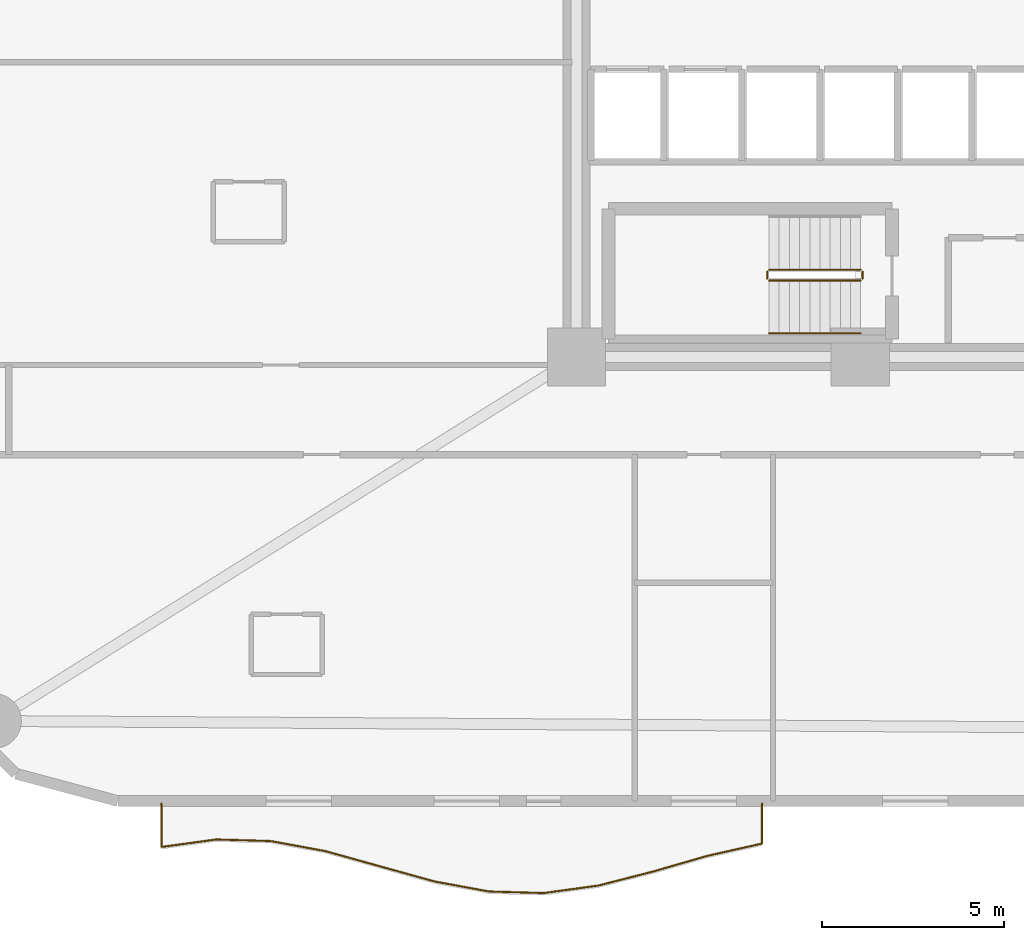
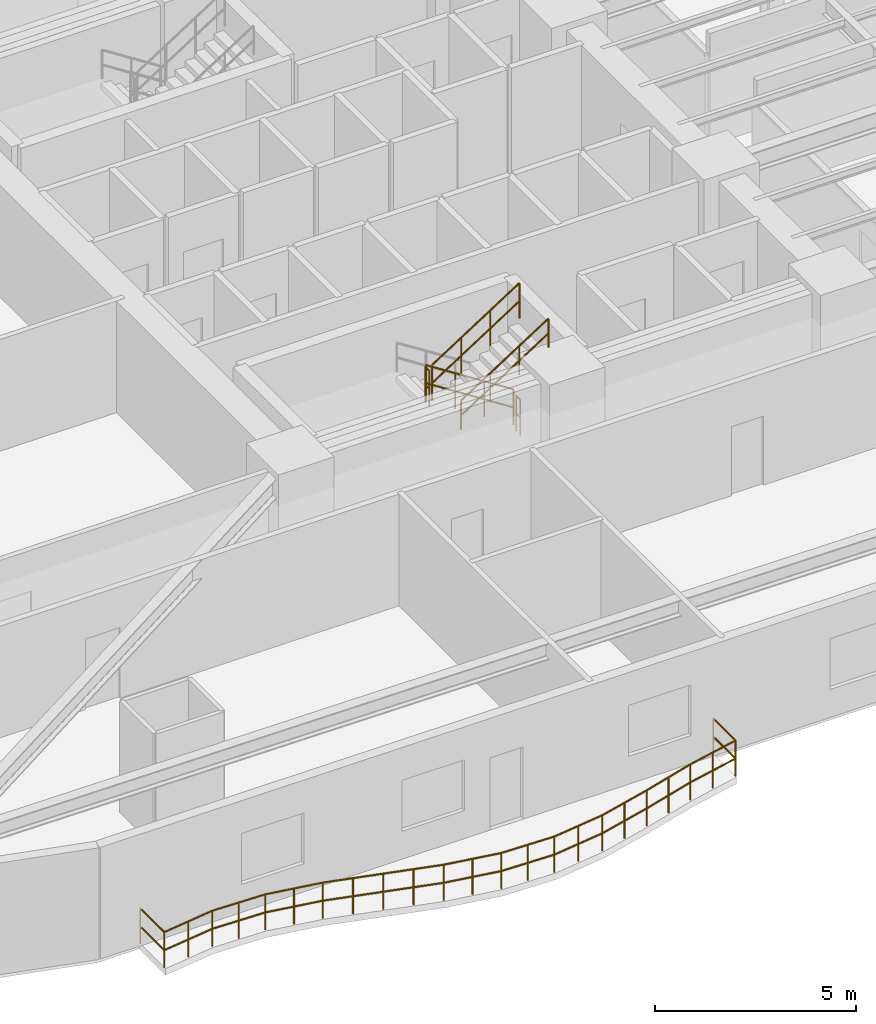
# One storey, part 14 of 16: 6 railings.
"""IFC4 building model written with IfcOpenShell, lengths in metres."""

from ifc_helpers import new_model, si_unit, direction, frame, origin, origin_2d, place, context, subcontext, project, spatial, circle, extrude, material, type_object, element, save


model = new_model("IFC4")

# Units and contexts
model_context = context("Model", 3, precision=1e-05, world=origin(), true_north=direction((0.0, 1.0)))
body_context = subcontext(model_context, "Body", "Model", "MODEL_VIEW")
ifc_project = project(units=[si_unit("LENGTHUNIT", "METRE"), si_unit("AREAUNIT", "SQUARE_METRE"), si_unit("VOLUMEUNIT", "CUBIC_METRE"), si_unit("PLANEANGLEUNIT", "RADIAN"), si_unit("MASSUNIT", "GRAM", prefix="KILO")], contexts=[model_context])

# Site, building, storey
site_placement = place(None, origin())
site = spatial("IfcSite", under=ifc_project, at=site_placement, CompositionType="ELEMENT")
building_placement = place(site_placement, origin())
building = spatial("IfcBuilding", under=site, at=building_placement, Name="An Khanh Terracotta Commons", CompositionType="ELEMENT")
storey_placement = place(building_placement, frame((0.0, 0.0, 50.39990234375)))
storey = spatial("IfcBuildingStorey", under=building, at=storey_placement, Name="L13", CompositionType="ELEMENT", Elevation=50.39990234375)

# Railings
ifc_material_1 = material(Name="Brushed Stainless Steel 316", Category="steel")
railing_type_1 = type_object("IfcRailingType", Name="RAIL-BALUSTRADE-1100", PredefinedType="BALUSTRADE", material=ifc_material_1)
railing_1_placement = place(storey_placement, frame((10.199951171875, 2.139892578125, 0.0)))
element("IfcRailing", 1, at=railing_1_placement, inside=storey, type_object=railing_type_1, Name="L13 S Wave Balcony Guard Balustrade", PredefinedType="BALUSTRADE", context=body_context, shape_type="SweptSolid", body=[
    extrude(circle(Radius=0.02392578125, at=origin_2d()), frame((0.0, 0.0, 1.076171875), z_axis=(0.0, -1.0, 0.0), x_axis=(1.0, 0.0, 0.0)), (0.0, 0.0, 1.0), 1.199951171875),
    extrude(circle(Radius=0.02392578125, at=origin_2d()), frame((0.0, 0.0, 0.52587890625), z_axis=(0.0, -1.0, 0.0), x_axis=(1.0, 0.0, 0.0)), (0.0, 0.0, 1.0), 1.199951171875),
    extrude(circle(Radius=0.02392578125, at=origin_2d()), frame((0.0, -1.199951171875, 1.076171875), z_axis=(0.990696239711, 0.136091736054, 0.0), x_axis=(-0.136091736054, 0.990696239711, 0.0)), (0.0, 0.0, 1.0), 1.51416015625),
    extrude(circle(Radius=0.02392578125, at=origin_2d()), frame((0.0, -1.199951171875, 0.52587890625), z_axis=(0.990696239711, 0.136091736054, 0.0), x_axis=(-0.136091736054, 0.990696239711, 0.0)), (0.0, 0.0, 1.0), 1.51416015625),
    extrude(circle(Radius=0.02392578125, at=origin_2d()), frame((1.5, -0.993896484375, 1.076171875), z_axis=(0.999589960453, -0.028634087409, 0.0), x_axis=(0.028634087409, 0.999589960453, 0.0)), (0.0, 0.0, 1.0), 1.500732421875),
    extrude(circle(Radius=0.02392578125, at=origin_2d()), frame((1.5, -0.993896484375, 0.52587890625), z_axis=(0.999589960453, -0.028634087409, 0.0), x_axis=(0.028634087409, 0.999589960453, 0.0)), (0.0, 0.0, 1.0), 1.500732421875),
    extrude(circle(Radius=0.02392578125, at=origin_2d()), frame((3.0, -1.036865234375, 1.076171875), z_axis=(0.983475695992, -0.181040203803, 0.0), x_axis=(0.181040203803, 0.983475695992, 0.0)), (0.0, 0.0, 1.0), 1.525146484375),
    extrude(circle(Radius=0.02392578125, at=origin_2d()), frame((3.0, -1.036865234375, 0.52587890625), z_axis=(0.983475695992, -0.181040203803, 0.0), x_axis=(0.181040203803, 0.983475695992, 0.0)), (0.0, 0.0, 1.0), 1.525146484375),
    extrude(circle(Radius=0.02392578125, at=origin_2d()), frame((4.5, -1.31298828125, 1.076171875), z_axis=(0.963463971294, -0.267837965978, 0.0), x_axis=(0.267837965978, 0.963463971294, 0.0)), (0.0, 0.0, 1.0), 1.556884765625),
    extrude(circle(Radius=0.02392578125, at=origin_2d()), frame((4.5, -1.31298828125, 0.52587890625), z_axis=(0.963463971294, -0.267837965978, 0.0), x_axis=(0.267837965978, 0.963463971294, 0.0)), (0.0, 0.0, 1.0), 1.556884765625),
    extrude(circle(Radius=0.02392578125, at=origin_2d()), frame((6.0, -1.72998046875, 1.076171875), z_axis=(0.963463971294, -0.267837965978, 0.0), x_axis=(0.267837965978, 0.963463971294, 0.0)), (0.0, 0.0, 1.0), 1.556884765625),
    extrude(circle(Radius=0.02392578125, at=origin_2d()), frame((6.0, -1.72998046875, 0.52587890625), z_axis=(0.963463971294, -0.267837965978, 0.0), x_axis=(0.267837965978, 0.963463971294, 0.0)), (0.0, 0.0, 1.0), 1.556884765625),
    extrude(circle(Radius=0.02392578125, at=origin_2d()), frame((7.5, -2.14697265625, 1.076171875), z_axis=(0.983504185039, -0.180885372574, 0.0), x_axis=(0.180885372574, 0.983504185039, 0.0)), (0.0, 0.0, 1.0), 1.525146484375),
    extrude(circle(Radius=0.02392578125, at=origin_2d()), frame((7.5, -2.14697265625, 0.52587890625), z_axis=(0.983504185039, -0.180885372574, 0.0), x_axis=(0.180885372574, 0.983504185039, 0.0)), (0.0, 0.0, 1.0), 1.525146484375),
    extrude(circle(Radius=0.02392578125, at=origin_2d()), frame((9.0, -2.4228515625, 1.076171875), z_axis=(0.999589960453, -0.028634087409, 0.0), x_axis=(0.028634087409, 0.999589960453, 0.0)), (0.0, 0.0, 1.0), 1.500732421875),
    extrude(circle(Radius=0.02392578125, at=origin_2d()), frame((9.0, -2.4228515625, 0.52587890625), z_axis=(0.999589960453, -0.028634087409, 0.0), x_axis=(0.028634087409, 0.999589960453, 0.0)), (0.0, 0.0, 1.0), 1.500732421875),
    extrude(circle(Radius=0.02392578125, at=origin_2d()), frame((10.5, -2.4658203125, 1.076171875), z_axis=(0.990717967649, 0.135933471147, 0.0), x_axis=(-0.135933471147, 0.990717967649, 0.0)), (0.0, 0.0, 1.0), 1.51416015625),
    extrude(circle(Radius=0.02392578125, at=origin_2d()), frame((10.5, -2.4658203125, 0.52587890625), z_axis=(0.990717967649, 0.135933471147, 0.0), x_axis=(-0.135933471147, 0.990717967649, 0.0)), (0.0, 0.0, 1.0), 1.51416015625),
    extrude(circle(Radius=0.02392578125, at=origin_2d()), frame((12.0, -2.260009765625, 1.076171875), z_axis=(0.968754262999, 0.248022535107, 0.0), x_axis=(-0.248022535107, 0.968754262999, 0.0)), (0.0, 0.0, 1.0), 1.54833984375),
    extrude(circle(Radius=0.02392578125, at=origin_2d()), frame((12.0, -2.260009765625, 0.52587890625), z_axis=(0.968754262999, 0.248022535107, 0.0), x_axis=(-0.248022535107, 0.968754262999, 0.0)), (0.0, 0.0, 1.0), 1.54833984375),
    extrude(circle(Radius=0.02392578125, at=origin_2d()), frame((13.5, -1.8759765625, 1.076171875), z_axis=(0.960753088359, 0.277404944458, 0.0), x_axis=(-0.277404944458, 0.960753088359, 0.0)), (0.0, 0.0, 1.0), 1.561279296875),
    extrude(circle(Radius=0.02392578125, at=origin_2d()), frame((13.5, -1.8759765625, 0.52587890625), z_axis=(0.960753088359, 0.277404944458, 0.0), x_axis=(-0.277404944458, 0.960753088359, 0.0)), (0.0, 0.0, 1.0), 1.561279296875),
    extrude(circle(Radius=0.02392578125, at=origin_2d()), frame((15.0, -1.44287109375, 1.076171875), z_axis=(0.975691310659, 0.21914941548, 0.0), x_axis=(-0.21914941548, 0.975691310659, 0.0)), (0.0, 0.0, 1.0), 1.537353515625),
    extrude(circle(Radius=0.02392578125, at=origin_2d()), frame((15.0, -1.44287109375, 0.52587890625), z_axis=(0.975691310659, 0.21914941548, 0.0), x_axis=(-0.21914941548, 0.975691310659, 0.0)), (0.0, 0.0, 1.0), 1.537353515625),
    extrude(circle(Radius=0.02392578125, at=origin_2d()), frame((16.5, -1.10595703125, 1.076171875), z_axis=(0.0, 1.0, 0.0), x_axis=(-1.0, 0.0, 0.0)), (0.0, 0.0, 1.0), 1.10595703125),
    extrude(circle(Radius=0.02392578125, at=origin_2d()), frame((16.5, -1.10595703125, 0.52587890625), z_axis=(0.0, 1.0, 0.0), x_axis=(-1.0, 0.0, 0.0)), (0.0, 0.0, 1.0), 1.10595703125),
    extrude(circle(Radius=0.02099609375, at=origin_2d()), origin(), (0.0, 0.0, 1.0), 1.052001953125),
    extrude(circle(Radius=0.02099609375, at=origin_2d()), frame((0.0, -1.199951171875, 0.0)), (0.0, 0.0, 1.0), 1.052001953125),
    extrude(circle(Radius=0.02099609375, at=origin_2d()), frame((0.75, -1.096923828125, 0.0)), (0.0, 0.0, 1.0), 1.052001953125),
    extrude(circle(Radius=0.02099609375, at=origin_2d()), frame((1.5, -0.993896484375, 0.0)), (0.0, 0.0, 1.0), 1.052001953125),
    extrude(circle(Radius=0.02099609375, at=origin_2d()), frame((2.25, -1.015380859375, 0.0)), (0.0, 0.0, 1.0), 1.052001953125),
    extrude(circle(Radius=0.02099609375, at=origin_2d()), frame((3.0, -1.036865234375, 0.0)), (0.0, 0.0, 1.0), 1.052001953125),
    extrude(circle(Radius=0.02099609375, at=origin_2d()), frame((3.75, -1.1748046875, 0.0)), (0.0, 0.0, 1.0), 1.052001953125),
    extrude(circle(Radius=0.02099609375, at=origin_2d()), frame((4.5, -1.31298828125, 0.0)), (0.0, 0.0, 1.0), 1.052001953125),
    extrude(circle(Radius=0.02099609375, at=origin_2d()), frame((5.25, -1.521484375, 0.0)), (0.0, 0.0, 1.0), 1.052001953125),
    extrude(circle(Radius=0.02099609375, at=origin_2d()), frame((6.0, -1.72998046875, 0.0)), (0.0, 0.0, 1.0), 1.052001953125),
    extrude(circle(Radius=0.02099609375, at=origin_2d()), frame((6.75, -1.9384765625, 0.0)), (0.0, 0.0, 1.0), 1.052001953125),
    extrude(circle(Radius=0.02099609375, at=origin_2d()), frame((7.5, -2.14697265625, 0.0)), (0.0, 0.0, 1.0), 1.052001953125),
    extrude(circle(Radius=0.02099609375, at=origin_2d()), frame((8.25, -2.284912109375, 0.0)), (0.0, 0.0, 1.0), 1.052001953125),
    extrude(circle(Radius=0.02099609375, at=origin_2d()), frame((9.0, -2.4228515625, 0.0)), (0.0, 0.0, 1.0), 1.052001953125),
    extrude(circle(Radius=0.02099609375, at=origin_2d()), frame((9.75, -2.4443359375, 0.0)), (0.0, 0.0, 1.0), 1.052001953125),
    extrude(circle(Radius=0.02099609375, at=origin_2d()), frame((10.5, -2.4658203125, 0.0)), (0.0, 0.0, 1.0), 1.052001953125),
    extrude(circle(Radius=0.02099609375, at=origin_2d()), frame((11.25, -2.36279296875, 0.0)), (0.0, 0.0, 1.0), 1.052001953125),
    extrude(circle(Radius=0.02099609375, at=origin_2d()), frame((12.0, -2.260009765625, 0.0)), (0.0, 0.0, 1.0), 1.052001953125),
    extrude(circle(Radius=0.02099609375, at=origin_2d()), frame((12.75, -2.06787109375, 0.0)), (0.0, 0.0, 1.0), 1.052001953125),
    extrude(circle(Radius=0.02099609375, at=origin_2d()), frame((13.5, -1.8759765625, 0.0)), (0.0, 0.0, 1.0), 1.052001953125),
    extrude(circle(Radius=0.02099609375, at=origin_2d()), frame((14.25, -1.659423828125, 0.0)), (0.0, 0.0, 1.0), 1.052001953125),
    extrude(circle(Radius=0.02099609375, at=origin_2d()), frame((15.0, -1.44287109375, 0.0)), (0.0, 0.0, 1.0), 1.052001953125),
    extrude(circle(Radius=0.02099609375, at=origin_2d()), frame((15.75, -1.2744140625, 0.0)), (0.0, 0.0, 1.0), 1.052001953125),
    extrude(circle(Radius=0.02099609375, at=origin_2d()), frame((16.5, -1.10595703125, 0.0)), (0.0, 0.0, 1.0), 1.052001953125),
    extrude(circle(Radius=0.02099609375, at=origin_2d()), frame((16.5, 0.0, 0.0)), (0.0, 0.0, 1.0), 1.052001953125),
])
railing_type_2 = type_object("IfcRailingType", Name="RAIL-HANDRAIL-900", PredefinedType="HANDRAIL", material=ifc_material_1)
railing_2_placement = place(storey_placement, frame((26.889892578125, 15.050048828125, 1.97998046875)))
element("IfcRailing", 2, at=railing_2_placement, inside=storey, type_object=railing_type_2, Name="L13 ST-02 stair handrail 2", PredefinedType="HANDRAIL", context=body_context, shape_type="SweptSolid", body=[
    extrude(circle(Radius=0.02392578125, at=origin_2d()), frame((0.0, 0.0, 0.8759765625), z_axis=(0.841162588446, 0.0, 0.540782303519), x_axis=(0.0, 1.0, 0.0)), (0.0, 0.0, 1.0), 2.995849609375),
    extrude(circle(Radius=0.02392578125, at=origin_2d()), frame((0.0, 0.0, 0.42578125), z_axis=(0.841162588446, 0.0, 0.540782303519), x_axis=(0.0, 1.0, 0.0)), (0.0, 0.0, 1.0), 2.995849609375),
    extrude(circle(Radius=0.02099609375, at=origin_2d()), origin(), (0.0, 0.0, 1.0), 0.851806640625),
    extrude(circle(Radius=0.02099609375, at=origin_2d()), frame((0.840087890625, 0.0, 0.5400390625)), (0.0, 0.0, 1.0), 0.851806640625),
    extrude(circle(Radius=0.02099609375, at=origin_2d()), frame((1.679931640625, 0.0, 1.080078125)), (0.0, 0.0, 1.0), 0.851806640625),
    extrude(circle(Radius=0.02099609375, at=origin_2d()), frame((2.52001953125, 0.0, 1.6201171875)), (0.0, 0.0, 1.0), 0.851806640625),
])
ifc_material_2 = material(Name="Powder-Coated Steel S355J2", Category="steel")
railing_type_3 = type_object("IfcRailingType", Name="RAIL-STAIR-GUARD-1100", PredefinedType="BALUSTRADE", material=ifc_material_2)
railing_3_placement = place(storey_placement, frame((29.409912109375, 16.800048828125, 0.18017578125)))
element("IfcRailing", 3, at=railing_3_placement, inside=storey, type_object=railing_type_3, Name="L13 ST-02 stair guard 1", PredefinedType="BALUSTRADE", context=body_context, shape_type="SweptSolid", body=[
    extrude(circle(Radius=0.02392578125, at=origin_2d()), frame((0.0, 0.0, 1.076171875), z_axis=(-0.841199657755, 0.0, 0.540724639528), x_axis=(0.0, -1.0, 0.0)), (0.0, 0.0, 1.0), 2.995849609375),
    extrude(circle(Radius=0.02392578125, at=origin_2d()), frame((0.0, 0.0, 0.52587890625), z_axis=(-0.841199657755, 0.0, 0.540724639528), x_axis=(0.0, -1.0, 0.0)), (0.0, 0.0, 1.0), 2.995849609375),
    extrude(circle(Radius=0.02099609375, at=origin_2d()), origin(), (0.0, 0.0, 1.0), 1.052001953125),
    extrude(circle(Radius=0.02099609375, at=origin_2d()), frame((-0.840087890625, 0.0, 0.5400390625)), (0.0, 0.0, 1.0), 1.052001953125),
    extrude(circle(Radius=0.02099609375, at=origin_2d()), frame((-1.679931640625, 0.0, 1.079833984375)), (0.0, 0.0, 1.0), 1.052001953125),
    extrude(circle(Radius=0.02099609375, at=origin_2d()), frame((-2.52001953125, 0.0, 1.619873046875)), (0.0, 0.0, 1.0), 1.052001953125),
])
railing_4_placement = place(storey_placement, frame((26.840087890625, 16.75, 1.800048828125)))
element("IfcRailing", 4, at=railing_4_placement, inside=storey, type_object=railing_type_3, Name="L13 ST-02 stair guard 2", PredefinedType="BALUSTRADE", context=body_context, shape_type="SweptSolid", body=[
    extrude(circle(Radius=0.02392578125, at=origin_2d()), frame((0.0, 0.0, 1.076171875), z_axis=(0.0, -1.0, 0.0), x_axis=(1.0, 0.0, 0.0)), (0.0, 0.0, 1.0), 0.199951171875),
    extrude(circle(Radius=0.02392578125, at=origin_2d()), frame((0.0, 0.0, 0.52587890625), z_axis=(0.0, -1.0, 0.0), x_axis=(1.0, 0.0, 0.0)), (0.0, 0.0, 1.0), 0.199951171875),
    extrude(circle(Radius=0.02099609375, at=origin_2d()), origin(), (0.0, 0.0, 1.0), 1.052001953125),
    extrude(circle(Radius=0.02099609375, at=origin_2d()), frame((0.0, -0.199951171875, 0.0)), (0.0, 0.0, 1.0), 1.052001953125),
])
railing_5_placement = place(storey_placement, frame((26.889892578125, 16.5, 1.97998046875)))
element("IfcRailing", 5, at=railing_5_placement, inside=storey, type_object=railing_type_3, Name="L13 ST-02 stair guard 3", PredefinedType="BALUSTRADE", context=body_context, shape_type="SweptSolid", body=[
    extrude(circle(Radius=0.02392578125, at=origin_2d()), frame((0.0, 0.0, 1.076171875), z_axis=(0.841162588446, 0.0, 0.540782303519), x_axis=(0.0, 1.0, 0.0)), (0.0, 0.0, 1.0), 2.995849609375),
    extrude(circle(Radius=0.02392578125, at=origin_2d()), frame((0.0, 0.0, 0.52587890625), z_axis=(0.841162588446, 0.0, 0.540782303519), x_axis=(0.0, 1.0, 0.0)), (0.0, 0.0, 1.0), 2.995849609375),
    extrude(circle(Radius=0.02099609375, at=origin_2d()), origin(), (0.0, 0.0, 1.0), 1.052001953125),
    extrude(circle(Radius=0.02099609375, at=origin_2d()), frame((0.840087890625, 0.0, 0.5400390625)), (0.0, 0.0, 1.0), 1.052001953125),
    extrude(circle(Radius=0.02099609375, at=origin_2d()), frame((1.679931640625, 0.0, 1.080078125)), (0.0, 0.0, 1.0), 1.052001953125),
    extrude(circle(Radius=0.02099609375, at=origin_2d()), frame((2.52001953125, 0.0, 1.6201171875)), (0.0, 0.0, 1.0), 1.052001953125),
])
railing_6_placement = place(storey_placement, frame((29.4599609375, 16.75, 0.0)))
element("IfcRailing", 6, at=railing_6_placement, inside=storey, type_object=railing_type_3, Name="L13 ST-02 stair guard 4", PredefinedType="BALUSTRADE", context=body_context, shape_type="SweptSolid", body=[
    extrude(circle(Radius=0.02392578125, at=origin_2d()), frame((0.0, 0.0, 1.076171875), z_axis=(0.0, -1.0, 0.0), x_axis=(1.0, 0.0, 0.0)), (0.0, 0.0, 1.0), 0.199951171875),
    extrude(circle(Radius=0.02392578125, at=origin_2d()), frame((0.0, 0.0, 0.52587890625), z_axis=(0.0, -1.0, 0.0), x_axis=(1.0, 0.0, 0.0)), (0.0, 0.0, 1.0), 0.199951171875),
    extrude(circle(Radius=0.02099609375, at=origin_2d()), origin(), (0.0, 0.0, 1.0), 1.052001953125),
    extrude(circle(Radius=0.02099609375, at=origin_2d()), frame((0.0, -0.199951171875, 0.0)), (0.0, 0.0, 1.0), 1.052001953125),
])

save(model, "model.ifc")
